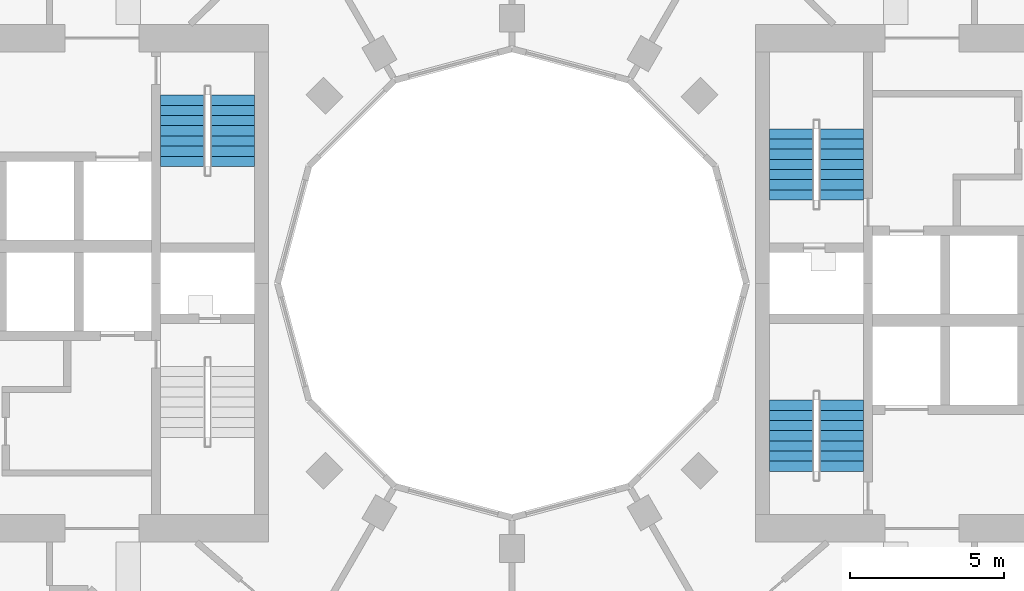
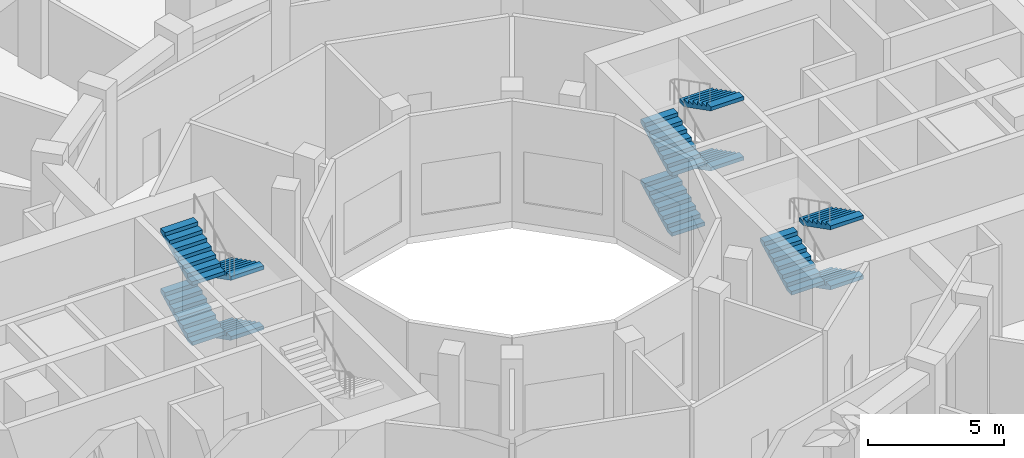
# One storey, part 28 of 30: 11 stair flights, 3 elements without a shape of their own.
"""IFC4 building model written with IfcOpenShell, lengths in metres."""

from ifc_helpers import new_model, si_unit, direction, frame, origin, place, context, subcontext, project, spatial, polyline, outline, extrude, material, layer, layer_set, type_object, element, aggregate, save


model = new_model("IFC4")

# Units and contexts
model_context = context("Model", 3, precision=1e-05, world=origin(), true_north=direction((0.0, 1.0)))
body_context = subcontext(model_context, "Body", "Model", "MODEL_VIEW")
ifc_project = project(units=[si_unit("LENGTHUNIT", "METRE"), si_unit("AREAUNIT", "SQUARE_METRE"), si_unit("VOLUMEUNIT", "CUBIC_METRE"), si_unit("PLANEANGLEUNIT", "RADIAN"), si_unit("MASSUNIT", "GRAM", prefix="KILO")], contexts=[model_context])

# Site, building, storey
site_placement = place(None, origin())
site = spatial("IfcSite", under=ifc_project, at=site_placement, CompositionType="ELEMENT")
building_placement = place(site_placement, origin())
building = spatial("IfcBuilding", under=site, at=building_placement, Name="Torre Brocal", CompositionType="ELEMENT")
storey_placement = place(building_placement, frame((0.0, 0.0, 7.0)))
storey = spatial("IfcBuildingStorey", under=building, at=storey_placement, Name="L01", CompositionType="ELEMENT", Elevation=7.0)

# Stair, stair flights
ifc_material_1 = material(Name="Concrete C50", Category="concrete")
stair_type = type_object("IfcStairType", Name="EXIT STAIR", PredefinedType="HALF_TURN_STAIR", material=ifc_material_1)
stair_1_placement = place(storey_placement, origin())
stair_1 = element("IfcStair", 1, at=stair_1_placement, inside=storey, type_object=stair_type, Name="EXIT STAIR ST1", PredefinedType="HALF_TURN_STAIR")
ifc_material_2 = material(Name="Concrete C50", Category="concrete")
ifc_layer = layer(ifc_material_2, 0.14990234375)
ifc_layer_set = layer_set([ifc_layer], Name="Concrete C50")
stair_flight_type = type_object("IfcStairFlightType", Name="STAIR FLIGHT", PredefinedType="STRAIGHT", material=ifc_layer_set)
stair_flight_1_placement = place(storey_placement, frame((89.050048828125, 77.699951171875, 0.0), z_axis=(0.0, 0.0, 1.0), x_axis=(0.0, 1.0, 0.0)))
stair_flight_1 = element("IfcStairFlight", 2, at=stair_flight_1_placement, type_object=stair_flight_type, Name="ST1 flight 1", NumberOfRisers=8, NumberOfTreads=7, PredefinedType="STRAIGHT", RiserHeight=0.16875, TreadLength=0.33, context=body_context, shape_type="SweptSolid", body=[
    extrude(outline(polyline([(0.0, 0.0), (0.0, 0.168701171875), (0.330078125, 0.168701171875), (0.330078125, 0.33740234375), (0.659912109375, 0.33740234375), (0.659912109375, 0.50634765625), (0.989990234375, 0.50634765625), (0.989990234375, 0.675048828125), (1.320068359375, 0.675048828125), (1.320068359375, 0.84375), (1.64990234375, 0.84375), (1.64990234375, 1.012451171875), (1.97998046875, 1.012451171875), (1.97998046875, 1.18115234375), (2.31005859375, 1.18115234375), (2.31005859375, 1.35009765625), (2.31005859375, 1.012939453125), (0.329345703125, 0.0), (0.0, 0.0)])), frame((0.0, 0.699951171875, 0.0), z_axis=(0.0, -1.0, 0.0), x_axis=(1.0, 0.0, 0.0)), (0.0, 0.0, 1.0), 1.39990234375),
])
stair_flight_2_placement = place(storey_placement, frame((90.699951171875, 80.010009765625, 1.35009765625), z_axis=(0.0, 0.0, 1.0), x_axis=(0.0, -1.0, 0.0)))
stair_flight_2 = element("IfcStairFlight", 3, at=stair_flight_2_placement, type_object=stair_flight_type, Name="ST1 flight 2", NumberOfRisers=8, NumberOfTreads=7, PredefinedType="STRAIGHT", RiserHeight=0.16875, TreadLength=0.33, context=body_context, shape_type="SweptSolid", body=[
    extrude(outline(polyline([(0.0, 0.0), (0.0, 0.168701171875), (0.330078125, 0.168701171875), (0.330078125, 0.33740234375), (0.659912109375, 0.33740234375), (0.659912109375, 0.50634765625), (0.989990234375, 0.50634765625), (0.989990234375, 0.675048828125), (1.320068359375, 0.675048828125), (1.320068359375, 0.84375), (1.64990234375, 0.84375), (1.64990234375, 1.012451171875), (1.97998046875, 1.012451171875), (1.97998046875, 1.18115234375), (2.31005859375, 1.18115234375), (2.31005859375, 1.35009765625), (2.31005859375, 1.012939453125), (0.329345703125, 0.0), (0.0, 0.0)])), frame((0.0, 0.699951171875, 0.0), z_axis=(0.0, -1.0, 0.0), x_axis=(1.0, 0.0, 0.0)), (0.0, 0.0, 1.0), 1.39990234375),
])
stair_flight_3_placement = place(storey_placement, frame((89.050048828125, 77.699951171875, 2.699951171875), z_axis=(0.0, 0.0, 1.0), x_axis=(0.0, 1.0, 0.0)))
stair_flight_3 = element("IfcStairFlight", 4, at=stair_flight_3_placement, type_object=stair_flight_type, Name="ST1 flight 3", NumberOfRisers=8, NumberOfTreads=7, PredefinedType="STRAIGHT", RiserHeight=0.16875, TreadLength=0.33, context=body_context, shape_type="SweptSolid", body=[
    extrude(outline(polyline([(0.0, 0.0), (0.0, 0.168701171875), (0.330078125, 0.168701171875), (0.330078125, 0.33740234375), (0.659912109375, 0.33740234375), (0.659912109375, 0.50634765625), (0.989990234375, 0.50634765625), (0.989990234375, 0.675048828125), (1.320068359375, 0.675048828125), (1.320068359375, 0.84375), (1.64990234375, 0.84375), (1.64990234375, 1.012451171875), (1.97998046875, 1.012451171875), (1.97998046875, 1.18115234375), (2.31005859375, 1.18115234375), (2.31005859375, 1.35009765625), (2.31005859375, 1.012939453125), (0.329345703125, 0.0), (0.0, 0.0)])), frame((0.0, 0.699951171875, 0.0), z_axis=(0.0, -1.0, 0.0), x_axis=(1.0, 0.0, 0.0)), (0.0, 0.0, 1.0), 1.39990234375),
])
stair_flight_4_placement = place(storey_placement, frame((90.699951171875, 80.010009765625, 4.050048828125), z_axis=(0.0, 0.0, 1.0), x_axis=(0.0, -1.0, 0.0)))
stair_flight_4 = element("IfcStairFlight", 5, at=stair_flight_4_placement, type_object=stair_flight_type, Name="ST1 flight 4", NumberOfRisers=8, NumberOfTreads=7, PredefinedType="STRAIGHT", RiserHeight=0.16875, TreadLength=0.33, context=body_context, shape_type="SweptSolid", body=[
    extrude(outline(polyline([(0.0, 0.0), (0.0, 0.168701171875), (0.330078125, 0.168701171875), (0.330078125, 0.33740234375), (0.659912109375, 0.33740234375), (0.659912109375, 0.50634765625), (0.989990234375, 0.50634765625), (0.989990234375, 0.675048828125), (1.320068359375, 0.675048828125), (1.320068359375, 0.84375), (1.64990234375, 0.84375), (1.64990234375, 1.012451171875), (1.97998046875, 1.012451171875), (1.97998046875, 1.18115234375), (2.31005859375, 1.18115234375), (2.31005859375, 1.35009765625), (2.31005859375, 1.012939453125), (0.329345703125, 0.0), (0.0, 0.0)])), frame((0.0, 0.699951171875, 0.0), z_axis=(0.0, -1.0, 0.0), x_axis=(1.0, 0.0, 0.0)), (0.0, 0.0, 1.0), 1.39990234375),
])
aggregate(stair_1, [stair_flight_1, stair_flight_2, stair_flight_3, stair_flight_4])

stair_2_placement = place(storey_placement, origin())
stair_2 = element("IfcStair", 6, at=stair_2_placement, inside=storey, type_object=stair_type, Name="EXIT STAIR ST2", PredefinedType="HALF_TURN_STAIR")
stair_flight_5_placement = place(storey_placement, frame((90.699951171875, 71.2099609375, 1.35009765625), z_axis=(0.0, 0.0, 1.0), x_axis=(0.0, -1.0, 0.0)))
stair_flight_5 = element("IfcStairFlight", 7, at=stair_flight_5_placement, type_object=stair_flight_type, Name="ST2 flight 2", NumberOfRisers=8, NumberOfTreads=7, PredefinedType="STRAIGHT", RiserHeight=0.16875, TreadLength=0.33, context=body_context, shape_type="SweptSolid", body=[
    extrude(outline(polyline([(0.0, 0.0), (0.0, 0.168701171875), (0.330078125, 0.168701171875), (0.330078125, 0.33740234375), (0.659912109375, 0.33740234375), (0.659912109375, 0.50634765625), (0.989990234375, 0.50634765625), (0.989990234375, 0.675048828125), (1.320068359375, 0.675048828125), (1.320068359375, 0.84375), (1.64990234375, 0.84375), (1.64990234375, 1.012451171875), (1.97998046875, 1.012451171875), (1.97998046875, 1.18115234375), (2.31005859375, 1.18115234375), (2.31005859375, 1.35009765625), (2.31005859375, 1.012939453125), (0.329345703125, 0.0), (0.0, 0.0)])), frame((0.0, 0.699951171875, 0.0), z_axis=(0.0, -1.0, 0.0), x_axis=(1.0, 0.0, 0.0)), (0.0, 0.0, 1.0), 1.39990234375),
])
stair_flight_6_placement = place(storey_placement, frame((89.050048828125, 68.89990234375, 2.699951171875), z_axis=(0.0, 0.0, 1.0), x_axis=(0.0, 1.0, 0.0)))
stair_flight_6 = element("IfcStairFlight", 8, at=stair_flight_6_placement, type_object=stair_flight_type, Name="ST2 flight 3", NumberOfRisers=8, NumberOfTreads=7, PredefinedType="STRAIGHT", RiserHeight=0.16875, TreadLength=0.33, context=body_context, shape_type="SweptSolid", body=[
    extrude(outline(polyline([(0.0, 0.0), (0.0, 0.168701171875), (0.330078125, 0.168701171875), (0.330078125, 0.33740234375), (0.659912109375, 0.33740234375), (0.659912109375, 0.50634765625), (0.989990234375, 0.50634765625), (0.989990234375, 0.675048828125), (1.320068359375, 0.675048828125), (1.320068359375, 0.84375), (1.64990234375, 0.84375), (1.64990234375, 1.012451171875), (1.97998046875, 1.012451171875), (1.97998046875, 1.18115234375), (2.31005859375, 1.18115234375), (2.31005859375, 1.35009765625), (2.31005859375, 1.012939453125), (0.329345703125, 0.0), (0.0, 0.0)])), frame((0.0, 0.699951171875, 0.0), z_axis=(0.0, -1.0, 0.0), x_axis=(1.0, 0.0, 0.0)), (0.0, 0.0, 1.0), 1.39990234375),
])
stair_flight_7_placement = place(storey_placement, frame((90.699951171875, 71.2099609375, 4.050048828125), z_axis=(0.0, 0.0, 1.0), x_axis=(0.0, -1.0, 0.0)))
stair_flight_7 = element("IfcStairFlight", 9, at=stair_flight_7_placement, type_object=stair_flight_type, Name="ST2 flight 4", NumberOfRisers=8, NumberOfTreads=7, PredefinedType="STRAIGHT", RiserHeight=0.16875, TreadLength=0.33, context=body_context, shape_type="SweptSolid", body=[
    extrude(outline(polyline([(0.0, 0.0), (0.0, 0.168701171875), (0.330078125, 0.168701171875), (0.330078125, 0.33740234375), (0.659912109375, 0.33740234375), (0.659912109375, 0.50634765625), (0.989990234375, 0.50634765625), (0.989990234375, 0.675048828125), (1.320068359375, 0.675048828125), (1.320068359375, 0.84375), (1.64990234375, 0.84375), (1.64990234375, 1.012451171875), (1.97998046875, 1.012451171875), (1.97998046875, 1.18115234375), (2.31005859375, 1.18115234375), (2.31005859375, 1.35009765625), (2.31005859375, 1.012939453125), (0.329345703125, 0.0), (0.0, 0.0)])), frame((0.0, 0.699951171875, 0.0), z_axis=(0.0, -1.0, 0.0), x_axis=(1.0, 0.0, 0.0)), (0.0, 0.0, 1.0), 1.39990234375),
])
aggregate(stair_2, [stair_flight_5, stair_flight_6, stair_flight_7])

stair_3_placement = place(storey_placement, origin())
stair_3 = element("IfcStair", 10, at=stair_3_placement, inside=storey, type_object=stair_type, Name="EXIT STAIR ST4", PredefinedType="HALF_TURN_STAIR")
stair_flight_8_placement = place(storey_placement, frame((70.949951171875, 81.10009765625, 0.0), z_axis=(0.0, 0.0, 1.0), x_axis=(0.0, -1.0, 0.0)))
stair_flight_8 = element("IfcStairFlight", 11, at=stair_flight_8_placement, type_object=stair_flight_type, Name="ST4 flight 1", NumberOfRisers=8, NumberOfTreads=7, PredefinedType="STRAIGHT", RiserHeight=0.16875, TreadLength=0.33, context=body_context, shape_type="SweptSolid", body=[
    extrude(outline(polyline([(0.0, 0.0), (0.0, 0.168701171875), (0.330078125, 0.168701171875), (0.330078125, 0.33740234375), (0.659912109375, 0.33740234375), (0.659912109375, 0.50634765625), (0.989990234375, 0.50634765625), (0.989990234375, 0.675048828125), (1.320068359375, 0.675048828125), (1.320068359375, 0.84375), (1.64990234375, 0.84375), (1.64990234375, 1.012451171875), (1.97998046875, 1.012451171875), (1.97998046875, 1.18115234375), (2.31005859375, 1.18115234375), (2.31005859375, 1.35009765625), (2.31005859375, 1.012939453125), (0.329345703125, 0.0), (0.0, 0.0)])), frame((0.0, 0.699951171875, 0.0), z_axis=(0.0, -1.0, 0.0), x_axis=(1.0, 0.0, 0.0)), (0.0, 0.0, 1.0), 1.39990234375),
])
stair_flight_9_placement = place(storey_placement, frame((69.300048828125, 78.7900390625, 1.35009765625), z_axis=(0.0, 0.0, 1.0), x_axis=(0.0, 1.0, 0.0)))
stair_flight_9 = element("IfcStairFlight", 12, at=stair_flight_9_placement, type_object=stair_flight_type, Name="ST4 flight 2", NumberOfRisers=8, NumberOfTreads=7, PredefinedType="STRAIGHT", RiserHeight=0.16875, TreadLength=0.33, context=body_context, shape_type="SweptSolid", body=[
    extrude(outline(polyline([(0.0, 0.0), (0.0, 0.168701171875), (0.330078125, 0.168701171875), (0.330078125, 0.33740234375), (0.659912109375, 0.33740234375), (0.659912109375, 0.50634765625), (0.989990234375, 0.50634765625), (0.989990234375, 0.675048828125), (1.320068359375, 0.675048828125), (1.320068359375, 0.84375), (1.64990234375, 0.84375), (1.64990234375, 1.012451171875), (1.97998046875, 1.012451171875), (1.97998046875, 1.18115234375), (2.31005859375, 1.18115234375), (2.31005859375, 1.35009765625), (2.31005859375, 1.012939453125), (0.329345703125, 0.0), (0.0, 0.0)])), frame((0.0, 0.699951171875, 0.0), z_axis=(0.0, -1.0, 0.0), x_axis=(1.0, 0.0, 0.0)), (0.0, 0.0, 1.0), 1.39990234375),
])
stair_flight_10_placement = place(storey_placement, frame((70.949951171875, 81.10009765625, 2.699951171875), z_axis=(0.0, 0.0, 1.0), x_axis=(0.0, -1.0, 0.0)))
stair_flight_10 = element("IfcStairFlight", 13, at=stair_flight_10_placement, type_object=stair_flight_type, Name="ST4 flight 3", NumberOfRisers=8, NumberOfTreads=7, PredefinedType="STRAIGHT", RiserHeight=0.16875, TreadLength=0.33, context=body_context, shape_type="SweptSolid", body=[
    extrude(outline(polyline([(0.0, 0.0), (0.0, 0.168701171875), (0.330078125, 0.168701171875), (0.330078125, 0.33740234375), (0.659912109375, 0.33740234375), (0.659912109375, 0.50634765625), (0.989990234375, 0.50634765625), (0.989990234375, 0.675048828125), (1.320068359375, 0.675048828125), (1.320068359375, 0.84375), (1.64990234375, 0.84375), (1.64990234375, 1.012451171875), (1.97998046875, 1.012451171875), (1.97998046875, 1.18115234375), (2.31005859375, 1.18115234375), (2.31005859375, 1.35009765625), (2.31005859375, 1.012939453125), (0.329345703125, 0.0), (0.0, 0.0)])), frame((0.0, 0.699951171875, 0.0), z_axis=(0.0, -1.0, 0.0), x_axis=(1.0, 0.0, 0.0)), (0.0, 0.0, 1.0), 1.39990234375),
])
stair_flight_11_placement = place(storey_placement, frame((69.300048828125, 78.7900390625, 4.050048828125), z_axis=(0.0, 0.0, 1.0), x_axis=(0.0, 1.0, 0.0)))
stair_flight_11 = element("IfcStairFlight", 14, at=stair_flight_11_placement, type_object=stair_flight_type, Name="ST4 flight 4", NumberOfRisers=8, NumberOfTreads=7, PredefinedType="STRAIGHT", RiserHeight=0.16875, TreadLength=0.33, context=body_context, shape_type="SweptSolid", body=[
    extrude(outline(polyline([(0.0, 0.0), (0.0, 0.168701171875), (0.330078125, 0.168701171875), (0.330078125, 0.33740234375), (0.659912109375, 0.33740234375), (0.659912109375, 0.50634765625), (0.989990234375, 0.50634765625), (0.989990234375, 0.675048828125), (1.320068359375, 0.675048828125), (1.320068359375, 0.84375), (1.64990234375, 0.84375), (1.64990234375, 1.012451171875), (1.97998046875, 1.012451171875), (1.97998046875, 1.18115234375), (2.31005859375, 1.18115234375), (2.31005859375, 1.35009765625), (2.31005859375, 1.012939453125), (0.329345703125, 0.0), (0.0, 0.0)])), frame((0.0, 0.699951171875, 0.0), z_axis=(0.0, -1.0, 0.0), x_axis=(1.0, 0.0, 0.0)), (0.0, 0.0, 1.0), 1.39990234375),
])
aggregate(stair_3, [stair_flight_8, stair_flight_9, stair_flight_10, stair_flight_11])

save(model, "model.ifc")
